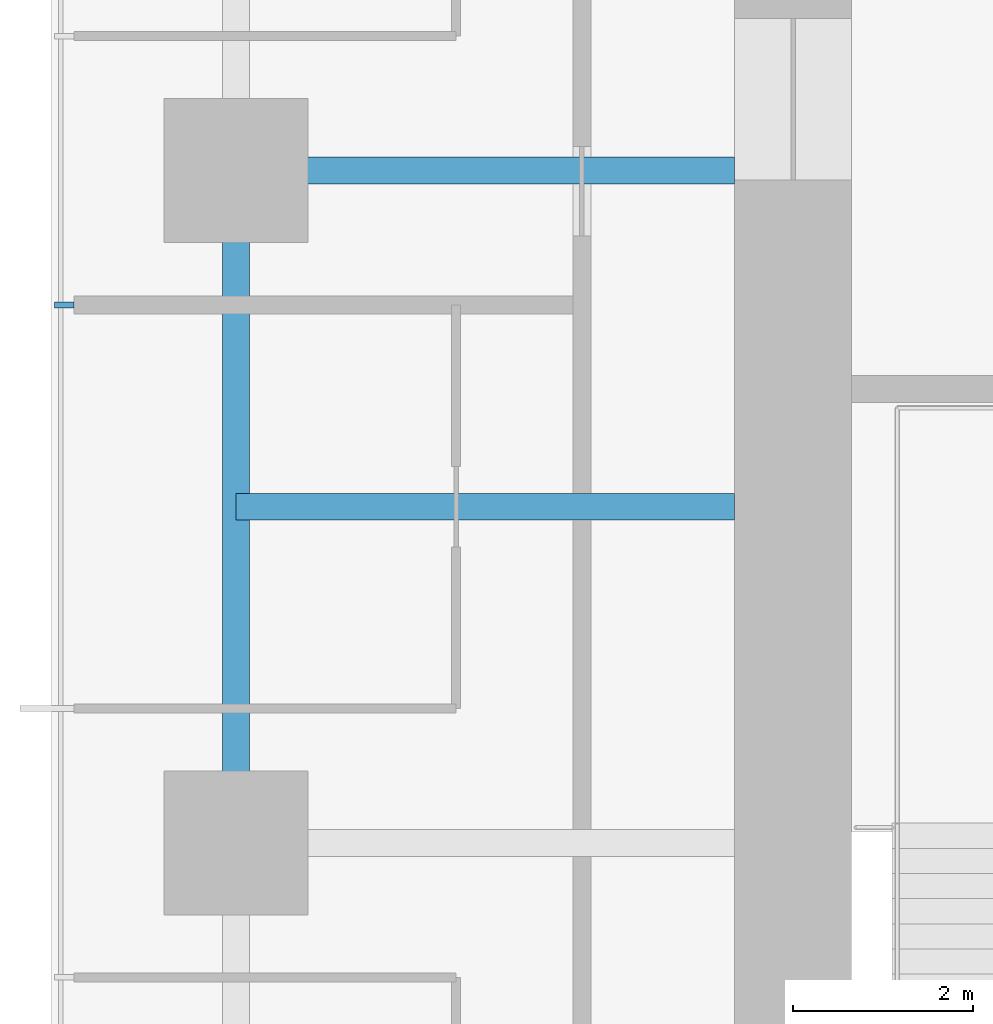
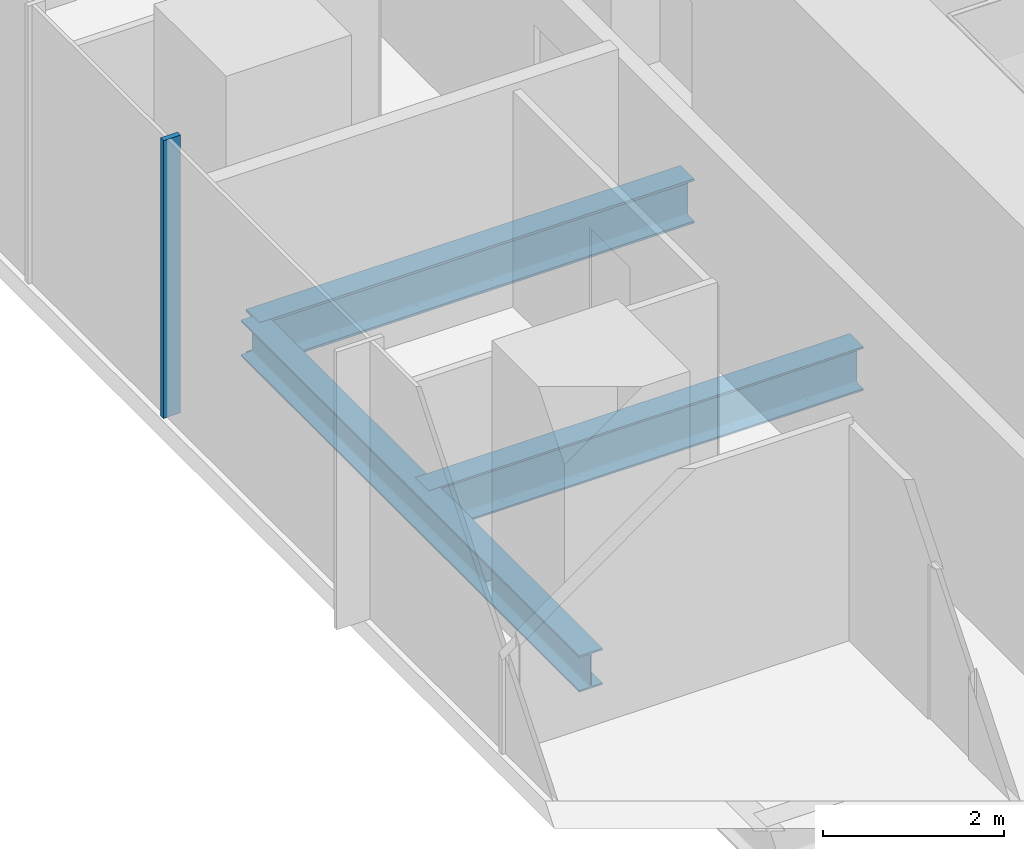
# One storey, part 3 of 12: 3 beams, 1 member, 1 element without a shape of its own.
"""IFC4 building model written with IfcOpenShell, lengths in metres."""

from ifc_helpers import new_model, si_unit, direction, frame, origin, origin_2d, place, context, subcontext, project, spatial, rectangle, i_section, extrude, material, material_profile, profile_set, type_object, element, aggregate, save


model = new_model("IFC4")

# Units and contexts
model_context = context("Model", 3, precision=1e-05, world=origin(), true_north=direction((0.0, 1.0)))
body_context = subcontext(model_context, "Body", "Model", "MODEL_VIEW")
ifc_project = project(units=[si_unit("LENGTHUNIT", "METRE"), si_unit("AREAUNIT", "SQUARE_METRE"), si_unit("VOLUMEUNIT", "CUBIC_METRE"), si_unit("PLANEANGLEUNIT", "RADIAN"), si_unit("MASSUNIT", "GRAM", prefix="KILO")], contexts=[model_context])

# Site, building, storey
site_placement = place(None, origin())
site = spatial("IfcSite", under=ifc_project, at=site_placement, CompositionType="ELEMENT")
building_placement = place(site_placement, origin())
building = spatial("IfcBuilding", under=site, at=building_placement, Name="Khuree Lantern Residences", CompositionType="ELEMENT")
storey_placement = place(building_placement, frame((0.0, 0.0, 300.75)))
storey = spatial("IfcBuildingStorey", under=building, at=storey_placement, Name="L75", CompositionType="ELEMENT", Elevation=300.75)

# Beams
ifc_material_1 = material(Name="Steel S355", Category="steel")
ifc_material_profile_1 = material_profile(ifc_material_1, i_section(OverallWidth=0.300048828125, OverallDepth=0.590087890625, WebThickness=0.012939453125, FlangeThickness=0.02490234375, FilletRadius=0.027099609375, at=origin_2d()), Name="HE 600 A")
ifc_profile_set_1 = profile_set([ifc_material_profile_1], Name="Steel S355")
beam_type_1 = type_object("IfcBeamType", Name="B-42 SECONDARY BEAM HE 600 A", PredefinedType="BEAM", material=ifc_profile_set_1)
beam_1_placement = place(storey_placement, frame((-21.699951171875, 3.739990234375, -0.544921875), z_axis=(1.0, 0.0, 0.0), x_axis=(0.0, 1.0, 0.0)))
element("IfcBeam", 1, at=beam_1_placement, inside=storey, type_object=beam_type_1, Name="Secondary beam W4", PredefinedType="BEAM", context=body_context, shape_type="SweptSolid", body=[
    extrude(i_section(OverallWidth=0.300048828125, OverallDepth=0.590087890625, WebThickness=0.012939453125, FlangeThickness=0.02490234375, FilletRadius=0.027099609375, at=origin_2d()), origin(), (0.0, 0.0, 1.0), 5.550048828125),
])
ifc_material_profile_2 = material_profile(ifc_material_1, i_section(OverallWidth=0.300048828125, OverallDepth=0.489990234375, WebThickness=0.011962890625, FlangeThickness=0.02294921875, FilletRadius=0.027099609375, at=origin_2d()), Name="HE 500 A")
ifc_profile_set_2 = profile_set([ifc_material_profile_2], Name="Steel S355")
beam_type_2 = type_object("IfcBeamType", Name="E-42 SPANDREL BEAM HE 500 A", PredefinedType="SPANDREL", material=ifc_profile_set_2)
beam_2_placement = place(storey_placement, frame((-21.699951171875, 0.0, -0.4951171875), z_axis=(0.0, 1.0, 0.0), x_axis=(-1.0, 0.0, 0.0)))
element("IfcBeam", 2, at=beam_2_placement, inside=storey, type_object=beam_type_2, Name="Spandrel beam W4", PredefinedType="SPANDREL", context=body_context, shape_type="SweptSolid", body=[
    extrude(i_section(OverallWidth=0.300048828125, OverallDepth=0.489990234375, WebThickness=0.011962890625, FlangeThickness=0.02294921875, FilletRadius=0.027099609375, at=origin_2d()), origin(), (0.0, 0.0, 1.0), 7.47998046875),
])
ifc_material_profile_3 = material_profile(ifc_material_1, i_section(OverallWidth=0.300048828125, OverallDepth=0.60009765625, WebThickness=0.015380859375, FlangeThickness=0.030029296875, FilletRadius=0.027099609375, at=origin_2d()), Name="HE 600 B")
ifc_profile_set_3 = profile_set([ifc_material_profile_3], Name="Steel S355")
beam_type_3 = type_object("IfcBeamType", Name="G-42 GIRDER HE 600 B", PredefinedType="BEAM", material=ifc_profile_set_3)
beam_3_placement = place(storey_placement, frame((-21.699951171875, 7.47998046875, -0.550048828125), z_axis=(1.0, 0.0, 0.0), x_axis=(0.0, 1.0, 0.0)))
element("IfcBeam", 3, at=beam_3_placement, inside=storey, type_object=beam_type_3, Name="Girder W4", PredefinedType="BEAM", context=body_context, shape_type="SweptSolid", body=[
    extrude(i_section(OverallWidth=0.300048828125, OverallDepth=0.60009765625, WebThickness=0.015380859375, FlangeThickness=0.030029296875, FilletRadius=0.027099609375, at=origin_2d()), origin(), (0.0, 0.0, 1.0), 5.550048828125),
])

# Curtain wall, member
ifc_material_2 = material(Name="Bronze anodised aluminium", Category="aluminium")
curtain_wall_type = type_object("IfcCurtainWallType", Name="CW-T1 TOWER FACE CURTAIN WALL", PredefinedType="USERDEFINED", material=ifc_material_2)
curtain_wall_placement = place(storey_placement, origin())
curtain_wall = element("IfcCurtainWall", 4, at=curtain_wall_placement, inside=storey, type_object=curtain_wall_type, Name="L75 WEST FACE CURTAIN WALL", ObjectType="Stick-built curtain wall", PredefinedType="USERDEFINED")
ifc_material_profile_4 = material_profile(ifc_material_2, rectangle(XDim=0.06494140625, YDim=0.219970703125, at=origin_2d()), Name="M1 65X220")
ifc_profile_set_4 = profile_set([ifc_material_profile_4], Name="Bronze anodised aluminium")
member_type = type_object("IfcMemberType", Name="M1 BRONZE MULLION TOWER 65X220", PredefinedType="MULLION", material=ifc_profile_set_4)
member_placement = place(storey_placement, frame((-23.610107421875, 5.98388671875, 0.0), z_axis=(0.0, 0.0, 1.0), x_axis=(0.0, -1.0, 0.0)))
member = element("IfcMember", 5, at=member_placement, type_object=member_type, Name="L75 WEST FACE MULLION 36", PredefinedType="MULLION", context=body_context, shape_type="SweptSolid", body=[
    extrude(rectangle(XDim=0.06494140625, YDim=0.219970703125, at=origin_2d()), origin(), (0.0, 0.0, 1.0), 3.75),
])
aggregate(curtain_wall, [member])

save(model, "model.ifc")
